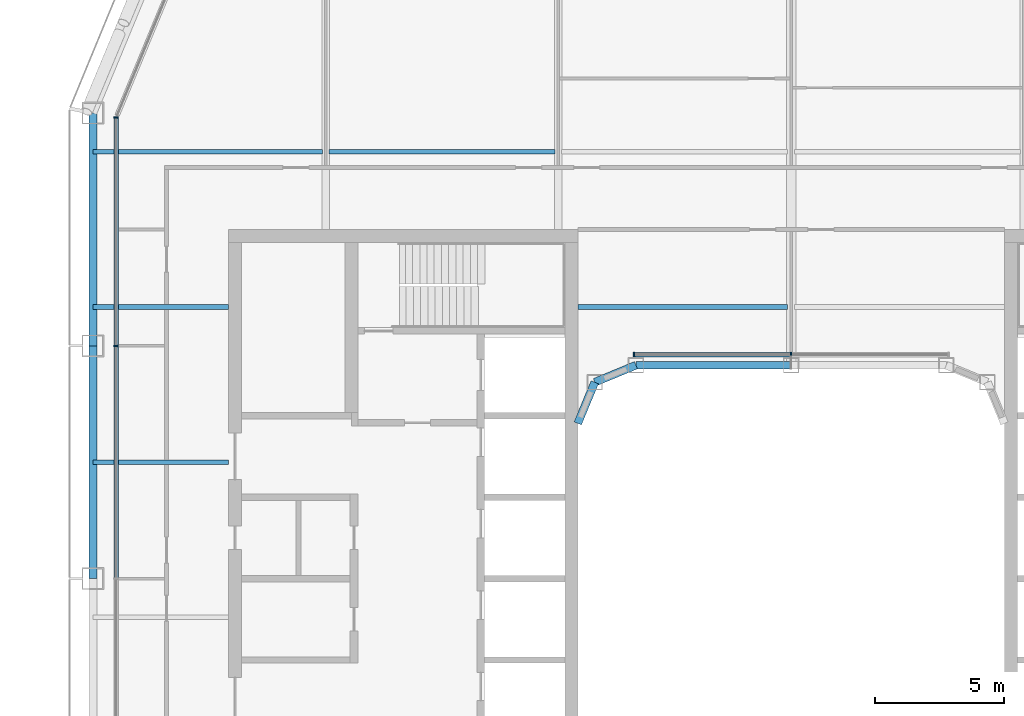
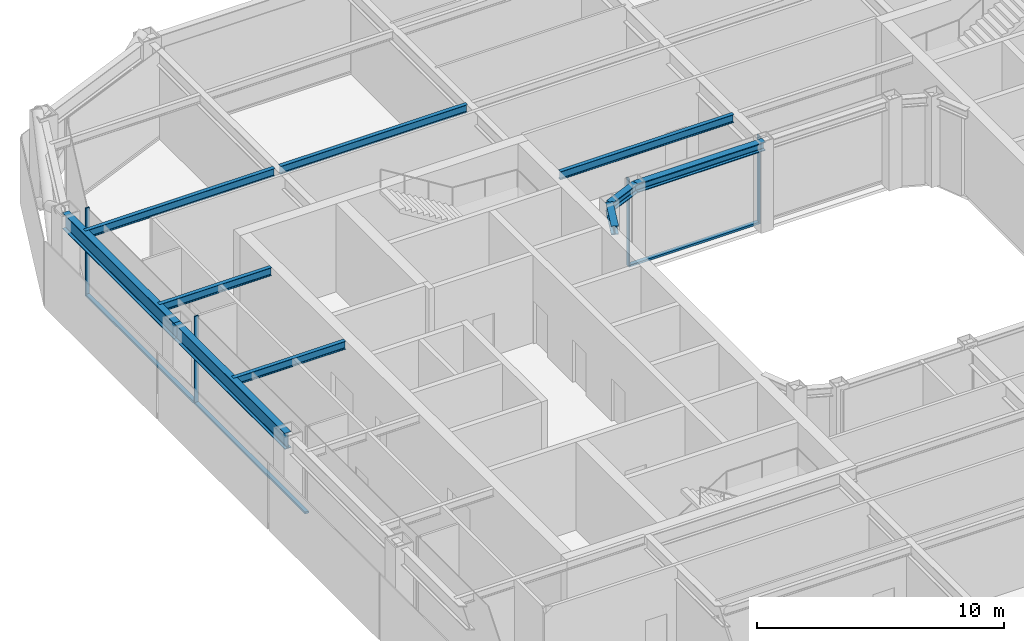
# One storey, part 6 of 24: 10 beams, 7 members, 2 elements without a shape of their own.
"""IFC4 building model written with IfcOpenShell, lengths in metres."""

from ifc_helpers import new_model, si_unit, direction, frame, origin, origin_2d, place, context, subcontext, project, spatial, rectangle, i_section, extrude, material, layer, layer_set, material_profile, profile_set, type_object, element, aggregate, save


model = new_model("IFC4")

# Units and contexts
model_context = context("Model", 3, precision=1e-05, world=origin(), true_north=direction((0.0, 1.0)))
body_context = subcontext(model_context, "Body", "Model", "MODEL_VIEW")
ifc_project = project(units=[si_unit("LENGTHUNIT", "METRE"), si_unit("AREAUNIT", "SQUARE_METRE"), si_unit("VOLUMEUNIT", "CUBIC_METRE"), si_unit("PLANEANGLEUNIT", "RADIAN"), si_unit("MASSUNIT", "GRAM", prefix="KILO")], contexts=[model_context])

# Site, building, storey
site_placement = place(None, origin())
site = spatial("IfcSite", under=ifc_project, at=site_placement, CompositionType="ELEMENT")
building_placement = place(site_placement, origin())
building = spatial("IfcBuilding", under=site, at=building_placement, Name="Siwar Civic Tower", CompositionType="ELEMENT")
storey_placement = place(building_placement, frame((0.0, 0.0, 215.199951171875)))
storey = spatial("IfcBuildingStorey", under=building, at=storey_placement, Name="L46", CompositionType="ELEMENT", Elevation=215.199951171875)

# Curtain wall, members
ifc_material_1 = material(Name="Aluminium and glass", Category="aluminium")
ifc_layer_1 = layer(ifc_material_1, 0.179931640625)
ifc_layer_set_1 = layer_set([ifc_layer_1], Name="Aluminium and glass")
curtain_wall_type_1 = type_object("IfcCurtainWallType", Name="ENV-CW-C", PredefinedType="NOTDEFINED", material=ifc_layer_set_1)
curtain_wall_1_placement = place(storey_placement, origin())
curtain_wall_1 = element("IfcCurtainWall", 1, at=curtain_wall_1_placement, inside=storey, type_object=curtain_wall_type_1, Name="Curtain wall C W", PredefinedType="NOTDEFINED")
ifc_material_2 = material(Name="Aluminium 6063-T6", Category="aluminium")
ifc_material_profile_1 = material_profile(ifc_material_2, rectangle(XDim=0.179931640625, YDim=0.06005859375, at=origin_2d()), Name="AL 180x60")
ifc_profile_set_1 = profile_set([ifc_material_profile_1], Name="Aluminium 6063-T6")
member_type_1 = type_object("IfcMemberType", Name="ENV-MULLION-C", PredefinedType="MULLION", material=ifc_profile_set_1)
member_1_placement = place(storey_placement, frame((-26.10009765625, 17.821044921875, 0.0), z_axis=(0.0, 0.0, 1.0), x_axis=(1.0, 0.0, 0.0)))
member_1 = element("IfcMember", 2, at=member_1_placement, type_object=member_type_1, Name="Mullion C W 1", PredefinedType="MULLION", context=body_context, shape_type="SweptSolid", body=[
    extrude(rectangle(XDim=0.179931640625, YDim=0.06005859375, at=origin_2d()), origin(), (0.0, 0.0, 1.0), 4.35009765625),
])
member_2_placement = place(storey_placement, frame((-26.10009765625, 9.0, 0.0), z_axis=(0.0, 0.0, 1.0), x_axis=(1.0, 0.0, 0.0)))
member_2 = element("IfcMember", 3, at=member_2_placement, type_object=member_type_1, Name="Mullion C W 2", PredefinedType="MULLION", context=body_context, shape_type="SweptSolid", body=[
    extrude(rectangle(XDim=0.179931640625, YDim=0.06005859375, at=origin_2d()), origin(), (0.0, 0.0, 1.0), 4.35009765625),
])

ifc_material_3 = material(Name="Aluminium and glass", Category="aluminium")
ifc_layer_2 = layer(ifc_material_3, 0.179931640625)
ifc_layer_set_2 = layer_set([ifc_layer_2], Name="Aluminium and glass")
curtain_wall_type_2 = type_object("IfcCurtainWallType", Name="ENV-CW-W", PredefinedType="NOTDEFINED", material=ifc_layer_set_2)
curtain_wall_2_placement = place(storey_placement, origin())
curtain_wall_2 = element("IfcCurtainWall", 4, at=curtain_wall_2_placement, inside=storey, type_object=curtain_wall_type_2, Name="Curtain wall W WN", PredefinedType="NOTDEFINED")
ifc_material_4 = material(Name="Aluminium 6063-T6", Category="aluminium")
ifc_material_profile_2 = material_profile(ifc_material_4, rectangle(XDim=0.179931640625, YDim=0.06005859375, at=origin_2d()), Name="AL 180x60")
ifc_profile_set_2 = profile_set([ifc_material_profile_2], Name="Aluminium 6063-T6")
member_type_2 = type_object("IfcMemberType", Name="ENV-MULLION-W", PredefinedType="MULLION", material=ifc_profile_set_2)
member_3_placement = place(storey_placement, frame((0.0, 8.659912109375, 0.0), z_axis=(0.0, 0.0, 1.0), x_axis=(0.0, -1.0, 0.0)))
member_3 = element("IfcMember", 5, at=member_3_placement, type_object=member_type_2, Name="Mullion W WN 2", PredefinedType="MULLION", context=body_context, shape_type="SweptSolid", body=[
    extrude(rectangle(XDim=0.179931640625, YDim=0.06005859375, at=origin_2d()), origin(), (0.0, 0.0, 1.0), 4.35009765625),
])
member_4_placement = place(storey_placement, frame((-6.08154296875, 8.659912109375, 0.0), z_axis=(0.0, 0.0, 1.0), x_axis=(0.0, -1.0, 0.0)))
member_4 = element("IfcMember", 6, at=member_4_placement, type_object=member_type_2, Name="Mullion W WN 3", PredefinedType="MULLION", context=body_context, shape_type="SweptSolid", body=[
    extrude(rectangle(XDim=0.179931640625, YDim=0.06005859375, at=origin_2d()), origin(), (0.0, 0.0, 1.0), 4.35009765625),
])

# Member
ifc_material_5 = material(Name="Aluminium 6063-T6", Category="aluminium")
ifc_material_profile_3 = material_profile(ifc_material_5, rectangle(XDim=0.179931640625, YDim=0.10009765625, at=origin_2d()), Name="AL 180x100")
ifc_profile_set_3 = profile_set([ifc_material_profile_3], Name="Aluminium 6063-T6")
member_type_3 = type_object("IfcMemberType", Name="ENV-TRANSOM-C", PredefinedType="USERDEFINED", material=ifc_profile_set_3)
member_5_placement = place(storey_placement, frame((-26.10009765625, 17.791015625, 0.050048828125), z_axis=(0.0, -1.0, 0.0), x_axis=(1.0, 0.0, 0.0)))
member_5 = element("IfcMember", 7, at=member_5_placement, type_object=member_type_3, Name="Transom C W 1", ObjectType="TRANSOM", PredefinedType="USERDEFINED", context=body_context, shape_type="SweptSolid", body=[
    extrude(rectangle(XDim=0.179931640625, YDim=0.10009765625, at=origin_2d()), origin(), (0.0, 0.0, 1.0), 8.760986328125),
])

member_6_placement = place(storey_placement, frame((-26.10009765625, 8.969970703125, 0.050048828125), z_axis=(0.0, -1.0, 0.0), x_axis=(1.0, 0.0, 0.0)))
member_6 = element("IfcMember", 8, at=member_6_placement, type_object=member_type_3, Name="Transom C W 2", ObjectType="TRANSOM", PredefinedType="USERDEFINED", context=body_context, shape_type="SweptSolid", body=[
    extrude(rectangle(XDim=0.179931640625, YDim=0.10009765625, at=origin_2d()), origin(), (0.0, 0.0, 1.0), 8.93994140625),
])

aggregate(curtain_wall_1, [member_1, member_2, member_5, member_6])

ifc_material_6 = material(Name="Aluminium 6063-T6", Category="aluminium")
ifc_material_profile_4 = material_profile(ifc_material_6, rectangle(XDim=0.179931640625, YDim=0.10009765625, at=origin_2d()), Name="AL 180x100")
ifc_profile_set_4 = profile_set([ifc_material_profile_4], Name="Aluminium 6063-T6")
member_type_4 = type_object("IfcMemberType", Name="ENV-TRANSOM-W", PredefinedType="USERDEFINED", material=ifc_profile_set_4)
member_7_placement = place(storey_placement, frame((-0.030029296875, 8.659912109375, 0.050048828125), z_axis=(-1.0, 0.0, 0.0), x_axis=(0.0, -1.0, 0.0)))
member_7 = element("IfcMember", 9, at=member_7_placement, type_object=member_type_4, Name="Transom W WN 2", ObjectType="TRANSOM", PredefinedType="USERDEFINED", context=body_context, shape_type="SweptSolid", body=[
    extrude(rectangle(XDim=0.179931640625, YDim=0.10009765625, at=origin_2d()), origin(), (0.0, 0.0, 1.0), 6.021484375),
])

aggregate(curtain_wall_2, [member_3, member_4, member_7])

# Beams
ifc_material_7 = material(Name="Steel S355", Category="steel")
ifc_material_profile_5 = material_profile(ifc_material_7, i_section(OverallWidth=0.179931640625, OverallDepth=0.39990234375, WebThickness=0.008544921875, FlangeThickness=0.013427734375, FilletRadius=0.02099609375, at=origin_2d()), Name="IPE400")
ifc_profile_set_5 = profile_set([ifc_material_profile_5], Name="Steel S355")
beam_type_1 = type_object("IfcBeamType", Name="STR-FB-IPE400", PredefinedType="JOIST", material=ifc_profile_set_5)
for number, where, z_axis, x_axis, name in (
    (10, (-27.0, 4.5, 4.150146484375), (1.0, 0.0, 0.0), (0.0, 1.0, 0.0), "L46/bm/F025"),
    (11, (-27.0, 10.5, 4.150146484375), (1.0, 0.0, 0.0), (0.0, 1.0, 0.0), "L46/bm/F027"),
):
    element("IfcBeam", number, at=place(storey_placement, frame(where, z_axis=z_axis, x_axis=x_axis)), inside=storey, type_object=beam_type_1, Name=name, PredefinedType="JOIST", context=body_context, shape_type="SweptSolid", body=[
        extrude(i_section(OverallWidth=0.179931640625, OverallDepth=0.39990234375, WebThickness=0.008544921875, FlangeThickness=0.013427734375, FilletRadius=0.02099609375, at=origin_2d()), origin(), (0.0, 0.0, 1.0), 5.25),
    ])
beam_1_placement = place(storey_placement, frame((-8.25, 10.5, 4.150146484375), z_axis=(1.0, 0.0, 0.0), x_axis=(0.0, 1.0, 0.0)))
element("IfcBeam", 12, at=beam_1_placement, inside=storey, type_object=beam_type_1, Name="L46/bm/F028", PredefinedType="JOIST", context=body_context, shape_type="SweptSolid", body=[
    extrude(i_section(OverallWidth=0.179931640625, OverallDepth=0.39990234375, WebThickness=0.008544921875, FlangeThickness=0.013427734375, FilletRadius=0.02099609375, at=origin_2d()), origin(), (0.0, 0.0, 1.0), 8.1201171875),
])
beam_2_placement = place(storey_placement, frame((-27.0, 16.5, 4.150146484375), z_axis=(1.0, 0.0, 0.0), x_axis=(0.0, 1.0, 0.0)))
element("IfcBeam", 13, at=beam_2_placement, inside=storey, type_object=beam_type_1, Name="L46/bm/F031", PredefinedType="JOIST", context=body_context, shape_type="SweptSolid", body=[
    extrude(i_section(OverallWidth=0.179931640625, OverallDepth=0.39990234375, WebThickness=0.008544921875, FlangeThickness=0.013427734375, FilletRadius=0.02099609375, at=origin_2d()), origin(), (0.0, 0.0, 1.0), 8.8701171875),
])
beam_3_placement = place(storey_placement, frame((-17.8701171875, 16.5, 4.150146484375), z_axis=(1.0, 0.0, 0.0), x_axis=(0.0, 1.0, 0.0)))
element("IfcBeam", 14, at=beam_3_placement, inside=storey, type_object=beam_type_1, Name="L46/bm/F032", PredefinedType="JOIST", context=body_context, shape_type="SweptSolid", body=[
    extrude(i_section(OverallWidth=0.179931640625, OverallDepth=0.39990234375, WebThickness=0.008544921875, FlangeThickness=0.013427734375, FilletRadius=0.02099609375, at=origin_2d()), origin(), (0.0, 0.0, 1.0), 8.740234375),
])
ifc_material_8 = material(Name="Steel S355", Category="steel")
ifc_material_profile_6 = material_profile(ifc_material_8, i_section(OverallWidth=0.306884765625, OverallDepth=0.431884765625, WebThickness=0.02099609375, FlangeThickness=0.0400390625, FilletRadius=0.027099609375, at=origin_2d()), Name="HEM400")
ifc_profile_set_6 = profile_set([ifc_material_profile_6], Name="Steel S355")
beam_type_2 = type_object("IfcBeamType", Name="STR-RB-HEM400", PredefinedType="BEAM", material=ifc_profile_set_6)
beam_4_placement = place(storey_placement, frame((-7.591064453125, 7.591064453125, 4.134033203125), z_axis=(0.923901072997, 0.382631424892, 0.0), x_axis=(-0.382631424892, 0.923901072997, 0.0)))
element("IfcBeam", 15, at=beam_4_placement, inside=storey, type_object=beam_type_2, Name="L46/bm/RN0", PredefinedType="BEAM", context=body_context, shape_type="SweptSolid", body=[
    extrude(i_section(OverallWidth=0.306884765625, OverallDepth=0.431884765625, WebThickness=0.02099609375, FlangeThickness=0.0400390625, FilletRadius=0.027099609375, at=origin_2d()), origin(), (0.0, 0.0, 1.0), 1.72216796875),
])
beam_5_placement = place(storey_placement, frame((-6.0, 8.25, 4.134033203125), z_axis=(1.0, 0.0, 0.0), x_axis=(0.0, 1.0, 0.0)))
element("IfcBeam", 16, at=beam_5_placement, inside=storey, type_object=beam_type_2, Name="L46/bm/RN1", PredefinedType="BEAM", context=body_context, shape_type="SweptSolid", body=[
    extrude(i_section(OverallWidth=0.306884765625, OverallDepth=0.431884765625, WebThickness=0.02099609375, FlangeThickness=0.0400390625, FilletRadius=0.027099609375, at=origin_2d()), origin(), (0.0, 0.0, 1.0), 6.0),
])
beam_6_placement = place(storey_placement, frame((-7.591064453125, 7.591064453125, 4.134033203125), z_axis=(-0.382631424892, -0.923901072997, 0.0), x_axis=(0.923901072997, -0.382631424892, 0.0)))
element("IfcBeam", 17, at=beam_6_placement, inside=storey, type_object=beam_type_2, Name="L46/bm/RNEW", PredefinedType="BEAM", context=body_context, shape_type="SweptSolid", body=[
    extrude(i_section(OverallWidth=0.306884765625, OverallDepth=0.431884765625, WebThickness=0.02099609375, FlangeThickness=0.0400390625, FilletRadius=0.027099609375, at=origin_2d()), origin(), (0.0, 0.0, 1.0), 1.72216796875),
])
ifc_material_9 = material(Name="Steel S355", Category="steel")
ifc_material_profile_7 = material_profile(ifc_material_9, i_section(OverallWidth=0.300048828125, OverallDepth=0.800048828125, WebThickness=0.017578125, FlangeThickness=0.032958984375, FilletRadius=0.030029296875, at=origin_2d()), Name="HEB800")
ifc_profile_set_7 = profile_set([ifc_material_profile_7], Name="Steel S355")
beam_type_3 = type_object("IfcBeamType", Name="STR-SB-HEB800", PredefinedType="BEAM", material=ifc_profile_set_7)
for number, where, z_axis, x_axis, name in (
    (18, (-27.0, 18.0, 3.949951171875), (0.0, -1.0, 0.0), (1.0, 0.0, 0.0), "L46/bm/SW-0"),
    (19, (-27.0, 9.0, 3.949951171875), (0.0, -1.0, 0.0), (1.0, 0.0, 0.0), "L46/bm/SW-1"),
):
    element("IfcBeam", number, at=place(storey_placement, frame(where, z_axis=z_axis, x_axis=x_axis)), inside=storey, type_object=beam_type_3, Name=name, PredefinedType="BEAM", context=body_context, shape_type="SweptSolid", body=[
        extrude(i_section(OverallWidth=0.300048828125, OverallDepth=0.800048828125, WebThickness=0.017578125, FlangeThickness=0.032958984375, FilletRadius=0.030029296875, at=origin_2d()), origin(), (0.0, 0.0, 1.0), 9.0),
    ])

save(model, "model.ifc")
